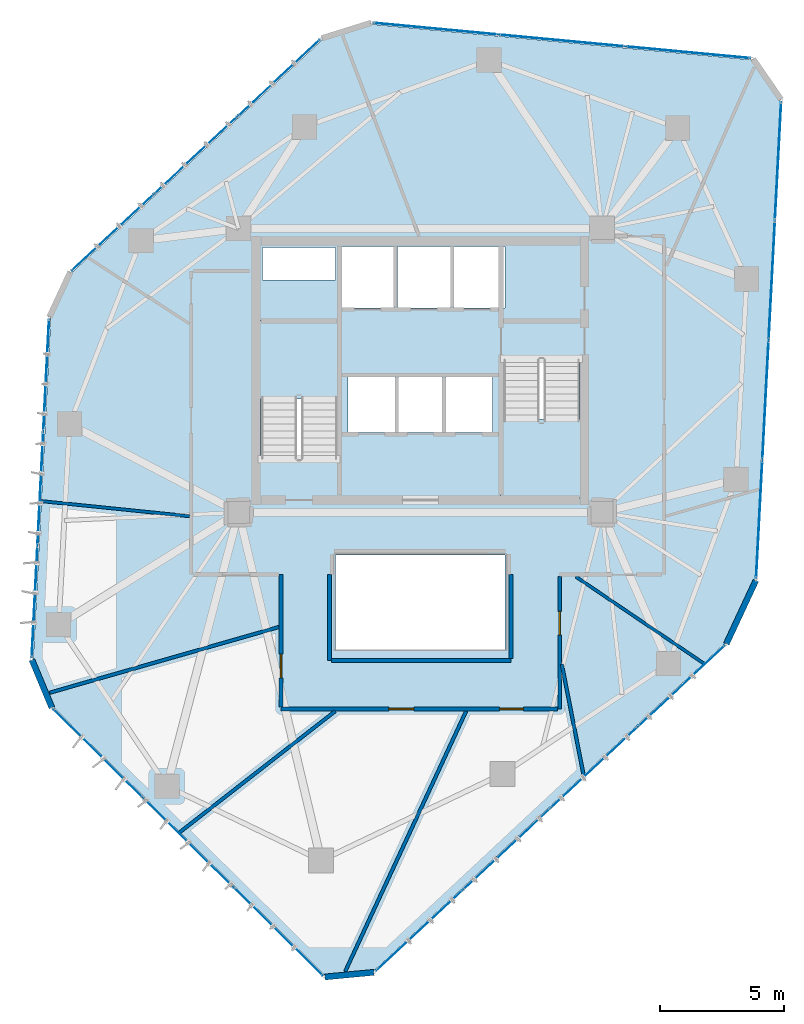
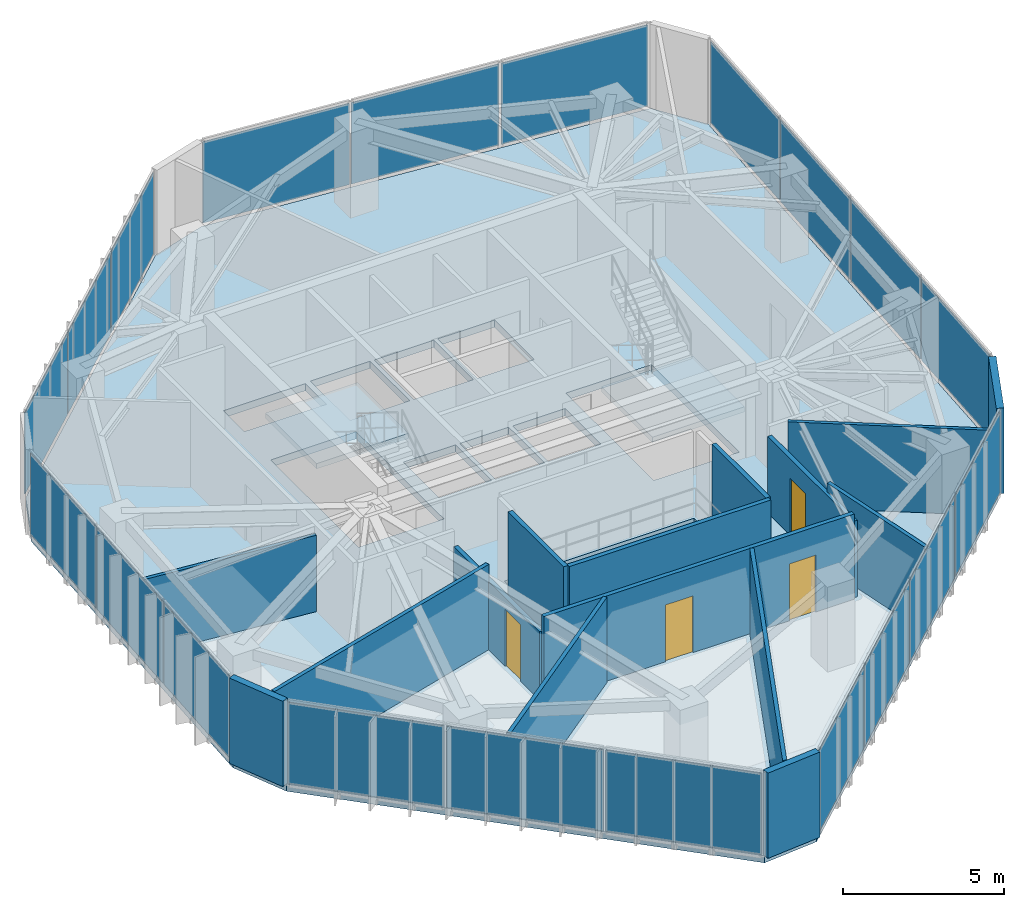
# One storey, part 15 of 19: 20 plates, 15 walls, 4 doors, 3 slabs, 4 openings, 8 elements without a shape of their own.
"""IFC4 building model written with IfcOpenShell, lengths in metres."""

from ifc_helpers import new_model, si_unit, direction, frame, frame_2d, origin, origin_2d, place, context, subcontext, project, spatial, polyline, rectangle, outline, extrude, source, transform, mapped, material, layer, layer_set, type_object, type_shapes, element, fill, aggregate, save


model = new_model("IFC4")

# Units and contexts
model_context = context("Model", 3, precision=1e-05, world=origin(), true_north=direction((0.0, 1.0)))
body_context = subcontext(model_context, "Body", "Model", "MODEL_VIEW")
ifc_project = project(units=[si_unit("LENGTHUNIT", "METRE"), si_unit("AREAUNIT", "SQUARE_METRE"), si_unit("VOLUMEUNIT", "CUBIC_METRE"), si_unit("PLANEANGLEUNIT", "RADIAN"), si_unit("MASSUNIT", "GRAM", prefix="KILO")], contexts=[model_context])

# Site, building, storey
site_placement = place(None, origin())
site = spatial("IfcSite", under=ifc_project, at=site_placement, CompositionType="ELEMENT")
building_placement = place(site_placement, origin())
building = spatial("IfcBuilding", under=site, at=building_placement, Name="Talar Marvaseh", CompositionType="ELEMENT")
storey_placement = place(building_placement, frame((0.0, 0.0, 218.699951171875)))
storey = spatial("IfcBuildingStorey", under=building, at=storey_placement, Name="L57", CompositionType="ELEMENT", Elevation=218.699951171875)

# Stair, slab
ifc_material_1 = material(Name="Concrete C40/50", Category="concrete")
stair_type = type_object("IfcStairType", Name="Reinforced Concrete High-Rise Exit Stair Type C", PredefinedType="HALF_TURN_STAIR", material=ifc_material_1)
stair_1_placement = place(storey_placement, origin())
stair_1 = element("IfcStair", 1, at=stair_1_placement, inside=storey, type_object=stair_type, Name="L57 Tower West Core Exit Stair", PredefinedType="HALF_TURN_STAIR")
ifc_layer_1 = layer(ifc_material_1, 0.199951171875)
ifc_layer_set_1 = layer_set([ifc_layer_1], Name="Concrete C40/50")
slab_type_1 = type_object("IfcSlabType", Name="Reinforced Concrete Stair Half-Landing Slab 200", PredefinedType="LANDING", material=ifc_layer_set_1)
slab_1_placement = place(storey_placement, frame((0.0, 0.0, 1.550048828125)))
slab_1 = element("IfcSlab", 2, at=slab_1_placement, type_object=slab_type_1, Name="ST-1 landing 1", PredefinedType="LANDING", context=body_context, shape_type="SweptSolid", body=[
    extrude(outline(polyline([(22.780029296875, 30.050048828125), (22.780029296875, 33.219970703125), (19.47998046875, 33.219970703125), (19.47998046875, 30.050048828125), (22.780029296875, 30.050048828125)])), origin(), (0.0, 0.0, 1.0), 0.199951171875),
])
aggregate(stair_1, [slab_1])

stair_2_placement = place(storey_placement, origin())
stair_2 = element("IfcStair", 3, at=stair_2_placement, inside=storey, type_object=stair_type, Name="L57 Tower East Core Exit Stair", PredefinedType="HALF_TURN_STAIR")
slab_2_placement = place(storey_placement, frame((0.0, 0.0, 1.550048828125)))
slab_2 = element("IfcSlab", 4, at=slab_2_placement, type_object=slab_type_1, Name="ST-2 landing 1", PredefinedType="LANDING", context=body_context, shape_type="SweptSolid", body=[
    extrude(outline(polyline([(29.219970703125, 29.25), (29.219970703125, 26.080078125), (32.52001953125, 26.080078125), (32.52001953125, 29.25), (29.219970703125, 29.25)])), origin(), (0.0, 0.0, 1.0), 0.199951171875),
])
aggregate(stair_2, [slab_2])

# Slab
ifc_layer_2 = layer(ifc_material_1, 0.27001953125)
ifc_layer_set_2 = layer_set([ifc_layer_2], Name="Concrete C40/50")
slab_type_2 = type_object("IfcSlabType", Name="Structural Suspended Floor Slab 270", PredefinedType="FLOOR", material=ifc_layer_set_2)
slab_3_placement = place(storey_placement, frame((0.0, 0.0, -0.27001953125)))
element("IfcSlab", 5, at=slab_3_placement, inside=storey, type_object=slab_type_2, Name="L57 Tower Floor Slab", PredefinedType="FLOOR", context=body_context, shape_type="SweptSolid", body=[
    extrude(outline(polyline([(24.134521484375, 7.083251953125), (22.16552734375, 6.89599609375), (11.25390625, 17.6767578125), (10.4501953125, 19.6044921875), (11.152587890625, 33.318359375), (11.999267578125, 35.1337890625), (22.052978515625, 44.48681640625), (24.04638671875, 45.110595703125), (39.318603515625, 43.681396484375), (40.44091796875, 42.052978515625), (39.4287109375, 22.791259765625), (38.23876953125, 20.23974609375), (24.134521484375, 7.083251953125)]), holes=[polyline([(22.659912109375, 27.64990234375), (22.659912109375, 33.10009765625), (19.60009765625, 33.10009765625), (19.60009765625, 27.64990234375), (22.659912109375, 27.64990234375)]), polyline([(29.340087890625, 31.64990234375), (29.340087890625, 26.199951171875), (32.39990234375, 26.199951171875), (32.39990234375, 31.64990234375), (29.340087890625, 31.64990234375)]), polyline([(22.800048828125, 33.719970703125), (24.93994140625, 33.719970703125), (24.93994140625, 36.179931640625), (22.800048828125, 36.179931640625), (22.800048828125, 33.719970703125)]), polyline([(25.080078125, 33.719970703125), (27.219970703125, 33.719970703125), (27.219970703125, 36.179931640625), (25.080078125, 36.179931640625), (25.080078125, 33.719970703125)]), polyline([(27.360107421875, 33.719970703125), (29.39990234375, 33.719970703125), (29.39990234375, 36.179931640625), (27.360107421875, 36.179931640625), (27.360107421875, 33.719970703125)]), polyline([(23.10009765625, 28.719970703125), (24.97998046875, 28.719970703125), (24.97998046875, 30.93994140625), (23.10009765625, 30.93994140625), (23.10009765625, 28.719970703125)]), polyline([(25.1201171875, 28.719970703125), (26.8798828125, 28.719970703125), (26.8798828125, 30.93994140625), (25.1201171875, 30.93994140625), (25.1201171875, 28.719970703125)]), polyline([(27.02001953125, 28.719970703125), (28.89990234375, 28.719970703125), (28.89990234375, 30.93994140625), (27.02001953125, 30.93994140625), (27.02001953125, 28.719970703125)]), polyline([(19.659912109375, 34.840087890625), (22.60009765625, 34.840087890625), (22.60009765625, 36.139892578125), (19.659912109375, 36.139892578125), (19.659912109375, 34.840087890625)]), polyline([(22.60009765625, 20.0), (29.39990234375, 20.0), (29.39990234375, 23.800048828125), (22.60009765625, 23.800048828125), (22.60009765625, 20.0)])]), origin(), (0.0, 0.0, 1.0), 0.27001953125),
])

# Curtain wall, plates
ifc_material_2 = material(Name="Architectural Aluminium", Category="aluminium")
ifc_layer_3 = layer(ifc_material_2, 0.18994140625)
ifc_layer_set_3 = layer_set([ifc_layer_3], Name="Architectural Aluminium")
curtain_wall_type = type_object("IfcCurtainWallType", Name="Unitised Solar Atelier Curtain Wall Z3", PredefinedType="NOTDEFINED", material=ifc_layer_set_3)
curtain_wall_1_placement = place(storey_placement, origin())
curtain_wall_1 = element("IfcCurtainWall", 6, at=curtain_wall_1_placement, inside=storey, type_object=curtain_wall_type, Name="L57 Unitised Solar Atelier Curtain Wall Z3", PredefinedType="NOTDEFINED")
ifc_material_3 = material(Name="Laminated Low-E Solar Glass", Category="glass")
ifc_layer_4 = layer(ifc_material_3, 0.028076171875)
ifc_layer_set_4 = layer_set([ifc_layer_4], Name="Laminated Low-E Solar Glass")
plate_type = type_object("IfcPlateType", Name="Double-Glazed Low-E Vision Curtain Panel 28", PredefinedType="CURTAIN_PANEL", material=ifc_layer_set_4)
shared_shape_1 = source(origin(), body_context, "Body", "SweptSolid", [
    extrude(rectangle(XDim=5.00048828125, YDim=0.028076171875, at=origin_2d()), origin(), (0.0, 0.0, 1.0), 3.080078125),
])
plate_1_placement = place(storey_placement, frame((20.291259765625, 8.663330078125, 0.074951171875), z_axis=(0.0, 0.0, 1.0), x_axis=(-0.711364014524, 0.702823760868, 0.0)))
plate_1 = element("IfcPlate", 7, at=plate_1_placement, type_object=plate_type, Name="CW-Z3 panel 1.1", PredefinedType="CURTAIN_PANEL", context=body_context, shape_type="MappedRepresentation", body=[
    mapped(shared_shape_1, transform((0.0, 0.0, 0.0), x_axis=(1.0, 0.0, 0.0), y_axis=(0.0, 1.0, 0.0), z_axis=(0.0, 0.0, 1.0), scale=1.0)),
])
plate_2_placement = place(storey_placement, frame((13.04345703125, 15.82421875, 0.074951171875), z_axis=(0.0, 0.0, 1.0), x_axis=(-0.711364014524, 0.702823760868, 0.0)))
plate_2 = element("IfcPlate", 8, at=plate_2_placement, type_object=plate_type, Name="CW-Z3 panel 3.1", PredefinedType="CURTAIN_PANEL", context=body_context, shape_type="MappedRepresentation", body=[
    mapped(shared_shape_1, transform((0.0, 0.0, 0.0), x_axis=(1.0, 0.0, 0.0), y_axis=(0.0, 1.0, 0.0), z_axis=(0.0, 0.0, 1.0), scale=1.0)),
])

curtain_wall_2_placement = place(storey_placement, origin())
curtain_wall_2 = element("IfcCurtainWall", 9, at=curtain_wall_2_placement, inside=storey, type_object=curtain_wall_type, Name="L57 Unitised Solar Atelier Curtain Wall Z3", PredefinedType="NOTDEFINED")
plate_3_placement = place(storey_placement, frame((26.615966796875, 44.93017578125, 0.074951171875), z_axis=(0.0, 0.0, 1.0), x_axis=(0.995649831976, -0.093174095573, 0.0)))
plate_3 = element("IfcPlate", 10, at=plate_3_placement, type_object=plate_type, Name="CW-Z3 panel 1.1", PredefinedType="CURTAIN_PANEL", context=body_context, shape_type="MappedRepresentation", body=[
    mapped(shared_shape_1, transform((0.0, 0.0, 0.0), x_axis=(1.0, 0.0, 0.0), y_axis=(0.0, 1.0, 0.0), z_axis=(0.0, 0.0, 1.0), scale=1.0)),
])
plate_4_placement = place(storey_placement, frame((36.76025390625, 43.98095703125, 0.074951171875), z_axis=(0.0, 0.0, 1.0), x_axis=(0.995649831976, -0.093174095573, 0.0)))
plate_4 = element("IfcPlate", 11, at=plate_4_placement, type_object=plate_type, Name="CW-Z3 panel 3.1", PredefinedType="CURTAIN_PANEL", context=body_context, shape_type="MappedRepresentation", body=[
    mapped(shared_shape_1, transform((0.0, 0.0, 0.0), x_axis=(1.0, 0.0, 0.0), y_axis=(0.0, 1.0, 0.0), z_axis=(0.0, 0.0, 1.0), scale=1.0)),
])

# Plate
shared_shape_2 = source(origin(), body_context, "Body", "SweptSolid", [
    extrude(rectangle(XDim=5.0380859375, YDim=0.028076171875, at=origin_2d()), origin(), (0.0, 0.0, 1.0), 3.080078125),
])
plate_5_placement = place(storey_placement, frame((16.66748046875, 12.24365234375, 0.074951171875), z_axis=(0.0, 0.0, 1.0), x_axis=(-0.711364014524, 0.702823760868, 0.0)))
plate_5 = element("IfcPlate", 12, at=plate_5_placement, type_object=plate_type, Name="CW-Z3 panel 2.1", PredefinedType="CURTAIN_PANEL", context=body_context, shape_type="MappedRepresentation", body=[
    mapped(shared_shape_2, transform((0.0, 0.0, 0.0), x_axis=(1.0, 0.0, 0.0), y_axis=(0.0, 1.0, 0.0), z_axis=(0.0, 0.0, 1.0), scale=1.0)),
])

aggregate(curtain_wall_1, [plate_1, plate_5, plate_2])

plate_6_placement = place(storey_placement, frame((31.688232421875, 44.45556640625, 0.074951171875), z_axis=(0.0, 0.0, 1.0), x_axis=(0.995649831976, -0.093174095573, 0.0)))
plate_6 = element("IfcPlate", 13, at=plate_6_placement, type_object=plate_type, Name="CW-Z3 panel 2.1", PredefinedType="CURTAIN_PANEL", context=body_context, shape_type="MappedRepresentation", body=[
    mapped(shared_shape_2, transform((0.0, 0.0, 0.0), x_axis=(1.0, 0.0, 0.0), y_axis=(0.0, 1.0, 0.0), z_axis=(0.0, 0.0, 1.0), scale=1.0)),
])

aggregate(curtain_wall_2, [plate_3, plate_6, plate_4])

# Curtain wall, plates
curtain_wall_3_placement = place(storey_placement, origin())
curtain_wall_3 = element("IfcCurtainWall", 14, at=curtain_wall_3_placement, inside=storey, type_object=curtain_wall_type, Name="L57 Unitised Solar Atelier Curtain Wall Z3", PredefinedType="NOTDEFINED")
shared_shape_3 = source(origin(), body_context, "Body", "SweptSolid", [
    extrude(rectangle(XDim=4.46484375, YDim=0.028076171875, at=origin_2d()), origin(), (0.0, 0.0, 1.0), 3.080078125),
])
plate_7_placement = place(storey_placement, frame((10.508544921875, 21.912109375, 0.074951171875), z_axis=(0.0, 0.0, 1.0), x_axis=(0.051151803012, 0.998690889639, 0.0)))
plate_7 = element("IfcPlate", 15, at=plate_7_placement, type_object=plate_type, Name="CW-Z3 panel 1.1", PredefinedType="CURTAIN_PANEL", context=body_context, shape_type="MappedRepresentation", body=[
    mapped(shared_shape_3, transform((0.0, 0.0, 0.0), x_axis=(1.0, 0.0, 0.0), y_axis=(0.0, 1.0, 0.0), z_axis=(0.0, 0.0, 1.0), scale=1.0)),
])
plate_8_placement = place(storey_placement, frame((10.974853515625, 31.01708984375, 0.074951171875), z_axis=(0.0, 0.0, 1.0), x_axis=(0.051151803012, 0.998690889639, 0.0)))
plate_8 = element("IfcPlate", 16, at=plate_8_placement, type_object=plate_type, Name="CW-Z3 panel 3.1", PredefinedType="CURTAIN_PANEL", context=body_context, shape_type="MappedRepresentation", body=[
    mapped(shared_shape_3, transform((0.0, 0.0, 0.0), x_axis=(1.0, 0.0, 0.0), y_axis=(0.0, 1.0, 0.0), z_axis=(0.0, 0.0, 1.0), scale=1.0)),
])

curtain_wall_4_placement = place(storey_placement, origin())
curtain_wall_4 = element("IfcCurtainWall", 17, at=curtain_wall_4_placement, inside=storey, type_object=curtain_wall_type, Name="L57 Unitised Solar Atelier Curtain Wall Z3", PredefinedType="NOTDEFINED")
plate_9_placement = place(storey_placement, frame((13.647705078125, 36.749267578125, 0.074951171875), z_axis=(0.0, 0.0, 1.0), x_axis=(0.732160302139, 0.681132360097, 0.0)))
plate_9 = element("IfcPlate", 18, at=plate_9_placement, type_object=plate_type, Name="CW-Z3 panel 1.1", PredefinedType="CURTAIN_PANEL", context=body_context, shape_type="MappedRepresentation", body=[
    mapped(shared_shape_3, transform((0.0, 0.0, 0.0), x_axis=(1.0, 0.0, 0.0), y_axis=(0.0, 1.0, 0.0), z_axis=(0.0, 0.0, 1.0), scale=1.0)),
])
plate_10_placement = place(storey_placement, frame((20.32275390625, 42.958984375, 0.074951171875), z_axis=(0.0, 0.0, 1.0), x_axis=(0.732160302139, 0.681132360097, 0.0)))
plate_10 = element("IfcPlate", 19, at=plate_10_placement, type_object=plate_type, Name="CW-Z3 panel 3.1", PredefinedType="CURTAIN_PANEL", context=body_context, shape_type="MappedRepresentation", body=[
    mapped(shared_shape_3, transform((0.0, 0.0, 0.0), x_axis=(1.0, 0.0, 0.0), y_axis=(0.0, 1.0, 0.0), z_axis=(0.0, 0.0, 1.0), scale=1.0)),
])

# Plate
shared_shape_4 = source(origin(), body_context, "Body", "SweptSolid", [
    extrude(rectangle(XDim=4.502197265625, YDim=0.028076171875, at=origin_2d()), origin(), (0.0, 0.0, 1.0), 3.080078125),
])
plate_11_placement = place(storey_placement, frame((10.74169921875, 26.464599609375, 0.074951171875), z_axis=(0.0, 0.0, 1.0), x_axis=(0.051151803012, 0.998690889639, 0.0)))
plate_11 = element("IfcPlate", 20, at=plate_11_placement, type_object=plate_type, Name="CW-Z3 panel 2.1", PredefinedType="CURTAIN_PANEL", context=body_context, shape_type="MappedRepresentation", body=[
    mapped(shared_shape_4, transform((0.0, 0.0, 0.0), x_axis=(1.0, 0.0, 0.0), y_axis=(0.0, 1.0, 0.0), z_axis=(0.0, 0.0, 1.0), scale=1.0)),
])

aggregate(curtain_wall_3, [plate_7, plate_11, plate_8])

plate_12_placement = place(storey_placement, frame((16.9853515625, 39.854248046875, 0.074951171875), z_axis=(0.0, 0.0, 1.0), x_axis=(0.732160302139, 0.681132360097, 0.0)))
plate_12 = element("IfcPlate", 21, at=plate_12_placement, type_object=plate_type, Name="CW-Z3 panel 2.1", PredefinedType="CURTAIN_PANEL", context=body_context, shape_type="MappedRepresentation", body=[
    mapped(shared_shape_4, transform((0.0, 0.0, 0.0), x_axis=(1.0, 0.0, 0.0), y_axis=(0.0, 1.0, 0.0), z_axis=(0.0, 0.0, 1.0), scale=1.0)),
])

aggregate(curtain_wall_4, [plate_9, plate_12, plate_10])

# Curtain wall, plates
curtain_wall_5_placement = place(storey_placement, origin())
curtain_wall_5 = element("IfcCurtainWall", 22, at=curtain_wall_5_placement, inside=storey, type_object=curtain_wall_type, Name="L57 Unitised Solar Atelier Curtain Wall Z3", PredefinedType="NOTDEFINED")
shared_shape_5 = source(origin(), body_context, "Body", "SweptSolid", [
    extrude(rectangle(XDim=4.70947265625, YDim=0.028076171875, at=origin_2d()), origin(), (0.0, 0.0, 1.0), 3.080078125),
])
plate_13_placement = place(storey_placement, frame((40.373291015625, 39.623291015625, 0.074951171875), z_axis=(0.0, 0.0, 1.0), x_axis=(-0.052488082901, -0.998621550515, 0.0)))
plate_13 = element("IfcPlate", 23, at=plate_13_placement, type_object=plate_type, Name="CW-Z3 panel 1.1", PredefinedType="CURTAIN_PANEL", context=body_context, shape_type="MappedRepresentation", body=[
    mapped(shared_shape_5, transform((0.0, 0.0, 0.0), x_axis=(1.0, 0.0, 0.0), y_axis=(0.0, 1.0, 0.0), z_axis=(0.0, 0.0, 1.0), scale=1.0)),
])
plate_14_placement = place(storey_placement, frame((39.615966796875, 25.214599609375, 0.074951171875), z_axis=(0.0, 0.0, 1.0), x_axis=(-0.052488082901, -0.998621550515, 0.0)))
plate_14 = element("IfcPlate", 24, at=plate_14_placement, type_object=plate_type, Name="CW-Z3 panel 4.1", PredefinedType="CURTAIN_PANEL", context=body_context, shape_type="MappedRepresentation", body=[
    mapped(shared_shape_5, transform((0.0, 0.0, 0.0), x_axis=(1.0, 0.0, 0.0), y_axis=(0.0, 1.0, 0.0), z_axis=(0.0, 0.0, 1.0), scale=1.0)),
])

curtain_wall_6_placement = place(storey_placement, origin())
curtain_wall_6 = element("IfcCurtainWall", 25, at=curtain_wall_6_placement, inside=storey, type_object=curtain_wall_type, Name="L57 Unitised Solar Atelier Curtain Wall Z3", PredefinedType="NOTDEFINED")
plate_15_placement = place(storey_placement, frame((36.5029296875, 18.53857421875, 0.074951171875), z_axis=(0.0, 0.0, 1.0), x_axis=(-0.731249369802, -0.682110225084, 0.0)))
plate_15 = element("IfcPlate", 26, at=plate_15_placement, type_object=plate_type, Name="CW-Z3 panel 1.1", PredefinedType="CURTAIN_PANEL", context=body_context, shape_type="MappedRepresentation", body=[
    mapped(shared_shape_5, transform((0.0, 0.0, 0.0), x_axis=(1.0, 0.0, 0.0), y_axis=(0.0, 1.0, 0.0), z_axis=(0.0, 0.0, 1.0), scale=1.0)),
])
plate_16_placement = place(storey_placement, frame((25.9521484375, 8.69677734375, 0.074951171875), z_axis=(0.0, 0.0, 1.0), x_axis=(-0.731249369802, -0.682110225084, 0.0)))
plate_16 = element("IfcPlate", 27, at=plate_16_placement, type_object=plate_type, Name="CW-Z3 panel 4.1", PredefinedType="CURTAIN_PANEL", context=body_context, shape_type="MappedRepresentation", body=[
    mapped(shared_shape_5, transform((0.0, 0.0, 0.0), x_axis=(1.0, 0.0, 0.0), y_axis=(0.0, 1.0, 0.0), z_axis=(0.0, 0.0, 1.0), scale=1.0)),
])

# Plate
shared_shape_6 = source(origin(), body_context, "Body", "SweptSolid", [
    extrude(rectangle(XDim=4.7470703125, YDim=0.028076171875, at=origin_2d()), origin(), (0.0, 0.0, 1.0), 3.080078125),
])
type_shapes(plate_type, [shared_shape_1, shared_shape_2, shared_shape_3, shared_shape_4, shared_shape_5, shared_shape_6])
plate_17_placement = place(storey_placement, frame((40.121337890625, 34.82666015625, 0.074951171875), z_axis=(0.0, 0.0, 1.0), x_axis=(-0.052488082901, -0.998621550515, 0.0)))
plate_17 = element("IfcPlate", 28, at=plate_17_placement, type_object=plate_type, Name="CW-Z3 panel 2.1", PredefinedType="CURTAIN_PANEL", context=body_context, shape_type="MappedRepresentation", body=[
    mapped(shared_shape_6, transform((0.0, 0.0, 0.0), x_axis=(1.0, 0.0, 0.0), y_axis=(0.0, 1.0, 0.0), z_axis=(0.0, 0.0, 1.0), scale=1.0)),
])

plate_18_placement = place(storey_placement, frame((39.8681640625, 30.01123046875, 0.074951171875), z_axis=(0.0, 0.0, 1.0), x_axis=(-0.052488082901, -0.998621550515, 0.0)))
plate_18 = element("IfcPlate", 29, at=plate_18_placement, type_object=plate_type, Name="CW-Z3 panel 3.1", PredefinedType="CURTAIN_PANEL", context=body_context, shape_type="MappedRepresentation", body=[
    mapped(shared_shape_6, transform((0.0, 0.0, 0.0), x_axis=(1.0, 0.0, 0.0), y_axis=(0.0, 1.0, 0.0), z_axis=(0.0, 0.0, 1.0), scale=1.0)),
])

aggregate(curtain_wall_5, [plate_13, plate_17, plate_18, plate_14])

plate_19_placement = place(storey_placement, frame((32.990478515625, 15.26220703125, 0.074951171875), z_axis=(0.0, 0.0, 1.0), x_axis=(-0.731249369802, -0.682110225084, 0.0)))
plate_19 = element("IfcPlate", 30, at=plate_19_placement, type_object=plate_type, Name="CW-Z3 panel 2.1", PredefinedType="CURTAIN_PANEL", context=body_context, shape_type="MappedRepresentation", body=[
    mapped(shared_shape_6, transform((0.0, 0.0, 0.0), x_axis=(1.0, 0.0, 0.0), y_axis=(0.0, 1.0, 0.0), z_axis=(0.0, 0.0, 1.0), scale=1.0)),
])

plate_20_placement = place(storey_placement, frame((29.46435546875, 11.97314453125, 0.074951171875), z_axis=(0.0, 0.0, 1.0), x_axis=(-0.731249369802, -0.682110225084, 0.0)))
plate_20 = element("IfcPlate", 31, at=plate_20_placement, type_object=plate_type, Name="CW-Z3 panel 3.1", PredefinedType="CURTAIN_PANEL", context=body_context, shape_type="MappedRepresentation", body=[
    mapped(shared_shape_6, transform((0.0, 0.0, 0.0), x_axis=(1.0, 0.0, 0.0), y_axis=(0.0, 1.0, 0.0), z_axis=(0.0, 0.0, 1.0), scale=1.0)),
])

aggregate(curtain_wall_6, [plate_15, plate_19, plate_20, plate_16])

# Walls
ifc_material_4 = material(Name="Precast concrete C45/55", Category="concrete")
ifc_layer_5 = layer(ifc_material_4, 0.239990234375)
ifc_layer_set_5 = layer_set([ifc_layer_5], Name="Precast concrete C45/55")
wall_type_1 = type_object("IfcWallType", Name="Chamfered Hexagonal Corner Pier Wall Z3 240", PredefinedType="SOLIDWALL", material=ifc_layer_set_5)
wall_1_placement = place(storey_placement, frame((24.14013671875, 7.0234375, 0.0), z_axis=(0.0, 0.0, 1.0), x_axis=(-0.995519849624, -0.09455278423, 0.0)))
element("IfcWall", 32, at=wall_1_placement, inside=storey, type_object=wall_type_1, Name="L57 Chamfered Corner Limestone Pier 1", PredefinedType="SOLIDWALL", context=body_context, shape_type="SweptSolid", body=[
    extrude(rectangle(XDim=1.977783203125, YDim=0.239990234375, at=frame_2d((0.98876953125, 0.0))), origin(), (0.0, 0.0, 1.0), 3.22998046875),
])
wall_2_placement = place(storey_placement, frame((11.198486328125, 17.65380859375, 0.0), z_axis=(0.0, 0.0, 1.0), x_axis=(-0.384714988723, 0.923035415058, 0.0)))
element("IfcWall", 33, at=wall_2_placement, inside=storey, type_object=wall_type_1, Name="L57 Chamfered Corner Limestone Pier 2", PredefinedType="SOLIDWALL", context=body_context, shape_type="SweptSolid", body=[
    extrude(rectangle(XDim=2.08837890625, YDim=0.239990234375, at=frame_2d((1.044189453125, 0.0))), origin(), (0.0, 0.0, 1.0), 3.22998046875),
])
wall_3_placement = place(storey_placement, frame((39.48291015625, 22.765869140625, 0.0), z_axis=(0.0, 0.0, 1.0), x_axis=(-0.422591098256, -0.906320453082, 0.0)))
element("IfcWall", 34, at=wall_3_placement, inside=storey, type_object=wall_type_1, Name="L57 Chamfered Corner Limestone Pier 6", PredefinedType="SOLIDWALL", context=body_context, shape_type="SweptSolid", body=[
    extrude(rectangle(XDim=2.815185546875, YDim=0.239990234375, at=frame_2d((1.40771484375, 0.0))), origin(), (0.0, 0.0, 1.0), 3.22998046875),
])

# Wall, opening, door
ifc_material_5 = material(Name="Gypsum Board Partition Assembly")
ifc_layer_6 = layer(ifc_material_5, 0.155029296875)
ifc_layer_set_6 = layer_set([ifc_layer_6], Name="Gypsum Board Partition Assembly")
wall_type_2 = type_object("IfcWallType", Name="Corridor Fire-Rated Acoustic Partition 155", PredefinedType="PARTITIONING", material=ifc_layer_set_6)
wall_4_placement = place(storey_placement, frame((31.60009765625, 22.91650390625, 0.0), z_axis=(0.0, 0.0, 1.0), x_axis=(0.0, -1.0, 0.0)))
wall_4 = element("IfcWall", 35, at=wall_4_placement, inside=storey, type_object=wall_type_2, Name="L57 Interior Partition Wall", PredefinedType="PARTITIONING", context=body_context, shape_type="SweptSolid", body=[
    extrude(rectangle(XDim=5.31640625, YDim=0.155029296875, at=frame_2d((2.658203125, 0.0))), origin(), (0.0, 0.0, 1.0), 2.89208984375),
])
opening_1_placement = place(wall_4_placement, frame((1.390869140625, 0.0, 0.0)))
opening_1 = element("IfcOpeningElement", 36, at=opening_1_placement, cuts=wall_4, Name="Opening DR-WC095", PredefinedType="OPENING", context=body_context, shape_type="SweptSolid", body=[
    extrude(rectangle(XDim=0.949951171875, YDim=2.14990234375, at=frame_2d((0.47509765625, 1.074951171875))), frame((0.0, 0.08740234375, 0.0), z_axis=(0.0, -1.0, 0.0), x_axis=(1.0, 0.0, 0.0)), (0.0, 0.0, 1.0), 0.175048828125),
])
ifc_material_6 = material(Name="Acoustic Engineered Oak Timber", Category="wood")
door_type_1 = type_object("IfcDoorType", Name="Washroom and Service Room Door 950x2150", OperationType="NOTDEFINED", PredefinedType="DOOR", material=ifc_material_6)
shared_shape_7 = source(origin(), body_context, "Body", "SweptSolid", [
    extrude(rectangle(XDim=0.949951171875, YDim=2.14990234375, at=frame_2d((0.47509765625, 1.074951171875))), frame((0.0, 0.02490234375, 0.0), z_axis=(0.0, -1.0, 0.0), x_axis=(1.0, 0.0, 0.0)), (0.0, 0.0, 1.0), 0.050048828125),
])
type_shapes(door_type_1, [shared_shape_7])
door_1_placement = place(opening_1_placement, origin())
door_1 = element("IfcDoor", 37, at=door_1_placement, inside=storey, type_object=door_type_1, Name="L57 WC Public Washrooms Door", OperationType="SINGLE_SWING_RIGHT", OverallHeight=2.14990234375, OverallWidth=0.949951171875, PredefinedType="DOOR", context=body_context, shape_type="MappedRepresentation", body=[
    mapped(shared_shape_7, transform((0.0, 0.0, 0.0), x_axis=(1.0, 0.0, 0.0), y_axis=(0.0, 1.0, 0.0), z_axis=(0.0, 0.0, 1.0), scale=1.0)),
])
fill(opening_1, door_1)

# Wall, openings, doors
wall_5_placement = place(storey_placement, frame((31.5166015625, 17.60009765625, 0.0), z_axis=(0.0, 0.0, 1.0), x_axis=(-1.0, 0.0, 0.0)))
wall_5 = element("IfcWall", 38, at=wall_5_placement, inside=storey, type_object=wall_type_2, Name="L57 Interior Partition Wall", PredefinedType="PARTITIONING", context=body_context, shape_type="SweptSolid", body=[
    extrude(rectangle(XDim=11.11669921875, YDim=0.155029296875, at=frame_2d((5.558349609375, 0.0))), origin(), (0.0, 0.0, 1.0), 3.22998046875),
])
opening_2_placement = place(wall_5_placement, frame((5.77490234375, 0.0, 0.0)))
opening_2 = element("IfcOpeningElement", 39, at=opening_2_placement, cuts=wall_5, Name="Opening DR-RM100", PredefinedType="OPENING", context=body_context, shape_type="SweptSolid", body=[
    extrude(rectangle(XDim=1.0, YDim=2.14990234375, at=frame_2d((0.5, 1.074951171875))), frame((0.0, 0.08740234375, 0.0), z_axis=(0.0, -1.0, 0.0), x_axis=(1.0, 0.0, 0.0)), (0.0, 0.0, 1.0), 0.175048828125),
])
opening_3_placement = place(wall_5_placement, frame((1.3798828125, 0.0, 0.0)))
opening_3 = element("IfcOpeningElement", 40, at=opening_3_placement, cuts=wall_5, Name="Opening DR-WC095", PredefinedType="OPENING", context=body_context, shape_type="SweptSolid", body=[
    extrude(rectangle(XDim=0.949951171875, YDim=2.14990234375, at=frame_2d((0.47509765625, 1.074951171875))), frame((0.0, 0.08740234375, 0.0), z_axis=(0.0, -1.0, 0.0), x_axis=(1.0, 0.0, 0.0)), (0.0, 0.0, 1.0), 0.175048828125),
])
door_2_placement = place(opening_3_placement, origin())
door_2 = element("IfcDoor", 41, at=door_2_placement, inside=storey, type_object=door_type_1, Name="L57 Collection Conservation Store Door", OperationType="SINGLE_SWING_LEFT", OverallHeight=2.14990234375, OverallWidth=0.949951171875, PredefinedType="DOOR", context=body_context, shape_type="MappedRepresentation", body=[
    mapped(shared_shape_7, transform((0.0, 0.0, 0.0), x_axis=(1.0, 0.0, 0.0), y_axis=(0.0, 1.0, 0.0), z_axis=(0.0, 0.0, 1.0), scale=1.0)),
])
fill(opening_3, door_2)
door_type_2 = type_object("IfcDoorType", Name="Corridor Fire-Rated Gallery Door 1000x2150", OperationType="NOTDEFINED", PredefinedType="DOOR", material=ifc_material_6)
shared_shape_8 = source(origin(), body_context, "Body", "SweptSolid", [
    extrude(rectangle(XDim=1.0, YDim=2.14990234375, at=frame_2d((0.5, 1.074951171875))), frame((0.0, 0.02490234375, 0.0), z_axis=(0.0, -1.0, 0.0), x_axis=(1.0, 0.0, 0.0)), (0.0, 0.0, 1.0), 0.050048828125),
])
type_shapes(door_type_2, [shared_shape_8])
door_3_placement = place(opening_2_placement, origin())
door_3 = element("IfcDoor", 42, at=door_3_placement, inside=storey, type_object=door_type_2, Name="L57 Visitor Orientation Foyer Door", OperationType="SINGLE_SWING_RIGHT", OverallHeight=2.14990234375, OverallWidth=1.0, PredefinedType="DOOR", context=body_context, shape_type="MappedRepresentation", body=[
    mapped(shared_shape_8, transform((0.0, 0.0, 0.0), x_axis=(1.0, 0.0, 0.0), y_axis=(0.0, 1.0, 0.0), z_axis=(0.0, 0.0, 1.0), scale=1.0)),
])
fill(opening_2, door_3)

# Wall, opening, door
wall_6_placement = place(storey_placement, frame((20.39990234375, 17.68359375, 0.0), z_axis=(0.0, 0.0, 1.0), x_axis=(0.0, 1.0, 0.0)))
wall_6 = element("IfcWall", 43, at=wall_6_placement, inside=storey, type_object=wall_type_2, Name="L57 Interior Partition Wall", PredefinedType="PARTITIONING", context=body_context, shape_type="SweptSolid", body=[
    extrude(rectangle(XDim=5.31640625, YDim=0.155029296875, at=frame_2d((2.658203125, 0.0))), origin(), (0.0, 0.0, 1.0), 2.589111328125),
])
opening_4_placement = place(wall_6_placement, frame((1.17041015625, 0.0, 0.0)))
opening_4 = element("IfcOpeningElement", 44, at=opening_4_placement, cuts=wall_6, Name="Opening DR-WC095", PredefinedType="OPENING", context=body_context, shape_type="SweptSolid", body=[
    extrude(rectangle(XDim=0.949951171875, YDim=2.14990234375, at=frame_2d((0.47509765625, 1.074951171875))), frame((0.0, 0.08740234375, 0.0), z_axis=(0.0, -1.0, 0.0), x_axis=(1.0, 0.0, 0.0)), (0.0, 0.0, 1.0), 0.175048828125),
])
door_4_placement = place(opening_4_placement, origin())
door_4 = element("IfcDoor", 45, at=door_4_placement, inside=storey, type_object=door_type_1, Name="L57 Rare Books Archive Room Door", OperationType="SINGLE_SWING_LEFT", OverallHeight=2.14990234375, OverallWidth=0.949951171875, PredefinedType="DOOR", context=body_context, shape_type="MappedRepresentation", body=[
    mapped(shared_shape_7, transform((0.0, 0.0, 0.0), x_axis=(1.0, 0.0, 0.0), y_axis=(0.0, 1.0, 0.0), z_axis=(0.0, 0.0, 1.0), scale=1.0)),
])
fill(opening_4, door_4)

# Walls
wall_7_placement = place(storey_placement, frame((22.35009765625, 23.0, 0.0), z_axis=(0.0, 0.0, 1.0), x_axis=(0.0, -1.0, 0.0)))
element("IfcWall", 46, at=wall_7_placement, inside=storey, type_object=wall_type_2, Name="L57 Interior Partition Wall", PredefinedType="PARTITIONING", context=body_context, shape_type="SweptSolid", body=[
    extrude(rectangle(XDim=3.449951171875, YDim=0.155029296875, at=frame_2d((1.72509765625, 0.0))), origin(), (0.0, 0.0, 1.0), 3.22998046875),
])
wall_8_placement = place(storey_placement, frame((22.43359375, 19.550048828125, 0.0), z_axis=(0.0, 0.0, 1.0), x_axis=(1.0, 0.0, 0.0)))
element("IfcWall", 47, at=wall_8_placement, inside=storey, type_object=wall_type_2, Name="L57 Interior Partition Wall", PredefinedType="PARTITIONING", context=body_context, shape_type="SweptSolid", body=[
    extrude(rectangle(XDim=7.21630859375, YDim=0.155029296875, at=frame_2d((3.608154296875, 0.0))), origin(), (0.0, 0.0, 1.0), 3.22998046875),
])
wall_9_placement = place(storey_placement, frame((29.64990234375, 19.633544921875, 0.0), z_axis=(0.0, 0.0, 1.0), x_axis=(0.0, 1.0, 0.0)))
element("IfcWall", 48, at=wall_9_placement, inside=storey, type_object=wall_type_2, Name="L57 Interior Partition Wall", PredefinedType="PARTITIONING", context=body_context, shape_type="SweptSolid", body=[
    extrude(rectangle(XDim=3.366455078125, YDim=0.155029296875, at=frame_2d((1.68310546875, 0.0))), origin(), (0.0, 0.0, 1.0), 3.22998046875),
])
ifc_layer_7 = layer(ifc_material_5, 0.1201171875)
ifc_layer_set_7 = layer_set([ifc_layer_7], Name="Gypsum Board Partition Assembly")
wall_type_3 = type_object("IfcWallType", Name="Demountable Studio Room Partition 120", PredefinedType="PARTITIONING", material=ifc_layer_set_7)
wall_10_placement = place(storey_placement, frame((10.740478515625, 25.957275390625, 0.0), z_axis=(0.0, 0.0, 1.0), x_axis=(0.99485299685, -0.101328745474, 0.0)))
element("IfcWall", 49, at=wall_10_placement, inside=storey, type_object=wall_type_3, Name="L57 Interior Partition Wall", PredefinedType="PARTITIONING", context=body_context, shape_type="SweptSolid", body=[
    extrude(rectangle(XDim=6.02587890625, YDim=0.1201171875, at=frame_2d((3.012939453125, 0.0))), origin(), (0.0, 0.0, 1.0), 2.89208984375),
])
wall_11_placement = place(storey_placement, frame((32.253173828125, 22.91650390625, 0.0), z_axis=(0.0, 0.0, 1.0), x_axis=(0.827557030149, -0.561381654358, 0.0)))
element("IfcWall", 50, at=wall_11_placement, inside=storey, type_object=wall_type_3, Name="L57 Interior Partition Wall", PredefinedType="PARTITIONING", context=body_context, shape_type="SweptSolid", body=[
    extrude(rectangle(XDim=6.231689453125, YDim=0.1201171875, at=frame_2d((3.11572265625, 0.0))), origin(), (0.0, 0.0, 1.0), 3.22998046875),
])
ifc_layer_8 = layer(ifc_material_5, 0.135009765625)
ifc_layer_set_8 = layer_set([ifc_layer_8], Name="Gypsum Board Partition Assembly")
wall_type_4 = type_object("IfcWallType", Name="Gallery High-Acoustic Partition 135", PredefinedType="PARTITIONING", material=ifc_layer_set_8)
wall_12_placement = place(storey_placement, frame((20.31640625, 20.89599609375, 0.0), z_axis=(0.0, 0.0, 1.0), x_axis=(-0.961253048251, -0.2756675121, 0.0)))
element("IfcWall", 51, at=wall_12_placement, inside=storey, type_object=wall_type_4, Name="L57 Interior Partition Wall", PredefinedType="PARTITIONING", context=body_context, shape_type="SweptSolid", body=[
    extrude(rectangle(XDim=9.57275390625, YDim=0.135009765625, at=frame_2d((4.786376953125, 0.0))), origin(), (0.0, 0.0, 1.0), 3.22998046875),
])
wall_13_placement = place(storey_placement, frame((22.582763671875, 17.5166015625, 0.0), z_axis=(0.0, 0.0, 1.0), x_axis=(-0.788933689006, -0.614478343273, 0.0)))
element("IfcWall", 52, at=wall_13_placement, inside=storey, type_object=wall_type_4, Name="L57 Interior Partition Wall", PredefinedType="PARTITIONING", context=body_context, shape_type="SweptSolid", body=[
    extrude(rectangle(XDim=7.9501953125, YDim=0.135009765625, at=frame_2d((3.97509765625, 0.0))), origin(), (0.0, 0.0, 1.0), 3.22998046875),
])
wall_14_placement = place(storey_placement, frame((27.84130859375, 17.5166015625, 0.0), z_axis=(0.0, 0.0, 1.0), x_axis=(-0.421424950539, -0.906863281351, 0.0)))
element("IfcWall", 53, at=wall_14_placement, inside=storey, type_object=wall_type_4, Name="L57 Interior Partition Wall", PredefinedType="PARTITIONING", context=body_context, shape_type="SweptSolid", body=[
    extrude(rectangle(XDim=11.525634765625, YDim=0.135009765625, at=frame_2d((5.7626953125, 0.0))), origin(), (0.0, 0.0, 1.0), 3.22998046875),
])
wall_15_placement = place(storey_placement, frame((31.68359375, 19.405029296875, 0.0), z_axis=(0.0, 0.0, 1.0), x_axis=(0.192905244524, -0.9812173901, 0.0)))
element("IfcWall", 54, at=wall_15_placement, inside=storey, type_object=wall_type_4, Name="L57 Interior Partition Wall", PredefinedType="PARTITIONING", context=body_context, shape_type="SweptSolid", body=[
    extrude(rectangle(XDim=4.5927734375, YDim=0.135009765625, at=frame_2d((2.29638671875, 0.0))), origin(), (0.0, 0.0, 1.0), 3.22998046875),
])

save(model, "model.ifc")
